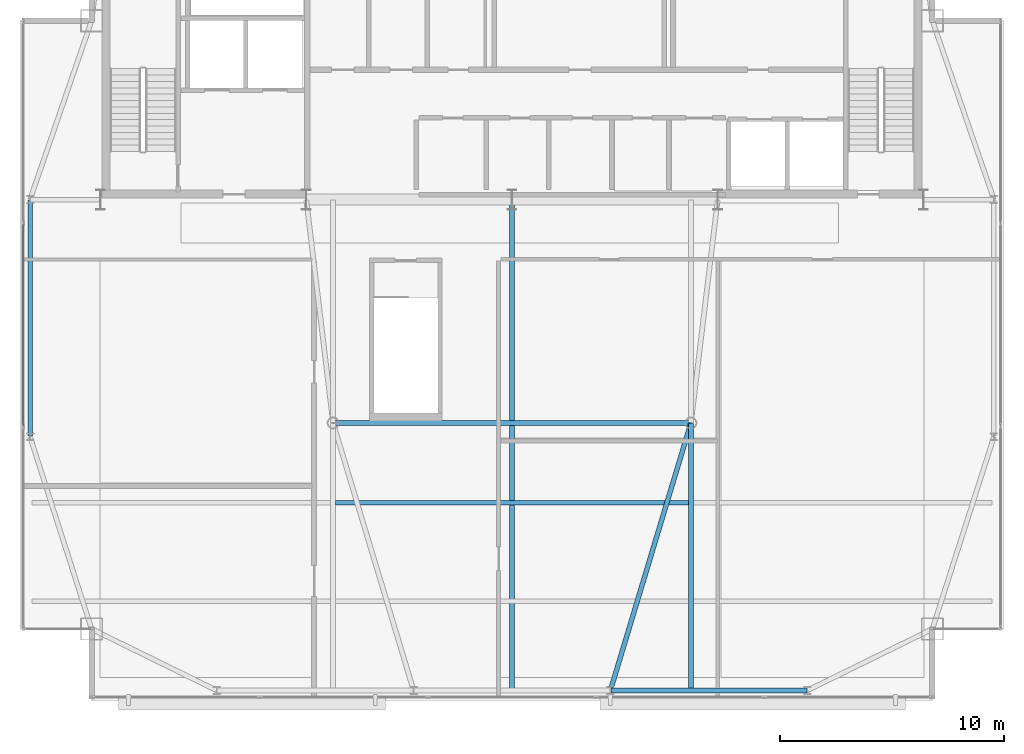
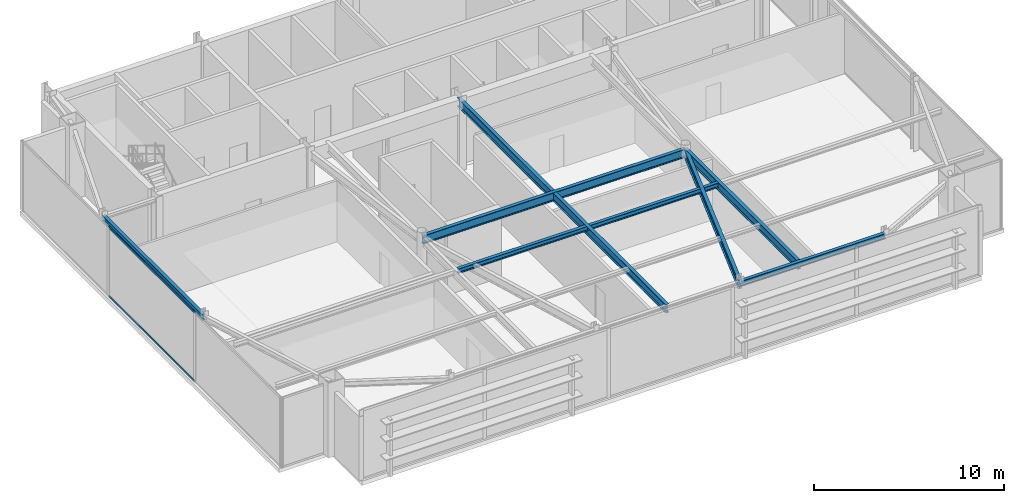
# One storey, part 9 of 20: 7 beams, 2 members, 1 element without a shape of its own.
"""IFC4 building model written with IfcOpenShell, lengths in metres."""

from ifc_helpers import new_model, si_unit, direction, frame, origin, origin_2d, place, context, subcontext, project, spatial, hollow_rectangle, i_section, extrude, source, transform, mapped, material, layer, layer_set, material_profile, profile_set, type_object, type_shapes, element, aggregate, save


model = new_model("IFC4")

# Units and contexts
model_context = context("Model", 3, precision=1e-05, world=origin(), true_north=direction((0.0, 1.0)))
body_context = subcontext(model_context, "Body", "Model", "MODEL_VIEW")
ifc_project = project(units=[si_unit("LENGTHUNIT", "METRE"), si_unit("AREAUNIT", "SQUARE_METRE"), si_unit("VOLUMEUNIT", "CUBIC_METRE"), si_unit("PLANEANGLEUNIT", "RADIAN"), si_unit("MASSUNIT", "GRAM", prefix="KILO")], contexts=[model_context])

# Site, building, storey
site_placement = place(None, origin())
site = spatial("IfcSite", under=ifc_project, at=site_placement, CompositionType="ELEMENT")
building_placement = place(site_placement, origin())
building = spatial("IfcBuilding", under=site, at=building_placement, Name="Varnel Quay Broadcast Tower", CompositionType="ELEMENT")
storey_placement = place(building_placement, frame((0.0, 0.0, 309.800048828125)))
storey = spatial("IfcBuildingStorey", under=building, at=storey_placement, Name="L77", CompositionType="ELEMENT", Elevation=309.800048828125)

# Beams
ifc_material_1 = material(Name="Structural Steel CSA G40.21 350W", Category="steel")
ifc_material_profile_1 = material_profile(ifc_material_1, i_section(OverallWidth=0.205078125, OverallDepth=0.35400390625, WebThickness=0.009521484375, FlangeThickness=0.016845703125, FilletRadius=0.012939453125, at=origin_2d()), Name="W360X79")
ifc_profile_set_1 = profile_set([ifc_material_profile_1], Name="Structural Steel CSA G40.21 350W")
beam_type_1 = type_object("IfcBeamType", Name="Beam_W360X79", PredefinedType="SPANDREL", material=ifc_profile_set_1)
shared_shape_1 = source(origin(), body_context, "Body", "SweptSolid", [
    extrude(i_section(OverallWidth=0.205078125, OverallDepth=0.35400390625, WebThickness=0.009521484375, FlangeThickness=0.016845703125, FilletRadius=0.012939453125, at=origin_2d()), origin(), (0.0, 0.0, 1.0), 8.760009765625),
])
beam_1_placement = place(storey_placement, frame((38.419921875, 13.64990234375, 4.302978515625), z_axis=(1.0, 0.0, 0.0), x_axis=(0.0, 1.0, 0.0)))
element("IfcBeam", 1, at=beam_1_placement, inside=storey, type_object=beam_type_1, Name="L77 South Spandrel TC-S3-TC-S4", PredefinedType="SPANDREL", context=body_context, shape_type="MappedRepresentation", body=[
    mapped(shared_shape_1, transform((0.0, 0.0, 0.0), x_axis=(1.0, 0.0, 0.0), y_axis=(0.0, 1.0, 0.0), z_axis=(0.0, 0.0, 1.0), scale=1.0)),
])
shared_shape_2 = source(origin(), body_context, "Body", "SweptSolid", [
    extrude(i_section(OverallWidth=0.205078125, OverallDepth=0.35400390625, WebThickness=0.009521484375, FlangeThickness=0.016845703125, FilletRadius=0.012939453125, at=origin_2d()), origin(), (0.0, 0.0, 1.0), 10.56005859375),
])
type_shapes(beam_type_1, [shared_shape_1, shared_shape_2])
beam_2_placement = place(storey_placement, frame((12.449951171875, 25.02001953125, 4.302978515625), z_axis=(0.0, 1.0, 0.0), x_axis=(-1.0, 0.0, 0.0)))
element("IfcBeam", 2, at=beam_2_placement, inside=storey, type_object=beam_type_1, Name="L77 West Spandrel TC-W1-TC-W2", PredefinedType="SPANDREL", context=body_context, shape_type="MappedRepresentation", body=[
    mapped(shared_shape_2, transform((0.0, 0.0, 0.0), x_axis=(1.0, 0.0, 0.0), y_axis=(0.0, 1.0, 0.0), z_axis=(0.0, 0.0, 1.0), scale=1.0)),
])
ifc_material_profile_2 = material_profile(ifc_material_1, i_section(OverallWidth=0.2119140625, OverallDepth=0.5439453125, WebThickness=0.01318359375, FlangeThickness=0.021240234375, FilletRadius=0.013916015625, at=origin_2d()), Name="W530X123")
ifc_profile_set_2 = profile_set([ifc_material_profile_2], Name="Structural Steel CSA G40.21 350W")
beam_type_2 = type_object("IfcBeamType", Name="Girder_W530X123", PredefinedType="BEAM", material=ifc_profile_set_2)
shared_shape_3 = source(origin(), body_context, "Body", "SweptSolid", [
    extrude(i_section(OverallWidth=0.2119140625, OverallDepth=0.5439453125, WebThickness=0.01318359375, FlangeThickness=0.021240234375, FilletRadius=0.013916015625, at=origin_2d()), origin(), (0.0, 0.0, 1.0), 12.449951171875),
])
beam_3_placement = place(storey_placement, frame((38.40576171875, 13.669189453125, 4.2080078125), z_axis=(0.28822390679, 0.957563042078, 0.0), x_axis=(-0.957563042078, 0.28822390679, 0.0)))
element("IfcBeam", 3, at=beam_3_placement, inside=storey, type_object=beam_type_2, Name="L77 Primary Girder TC-S3-IC-02", PredefinedType="BEAM", context=body_context, shape_type="MappedRepresentation", body=[
    mapped(shared_shape_3, transform((0.0, 0.0, 0.0), x_axis=(1.0, 0.0, 0.0), y_axis=(0.0, 1.0, 0.0), z_axis=(0.0, 0.0, 1.0), scale=1.0)),
])
shared_shape_4 = source(origin(), body_context, "Body", "SweptSolid", [
    extrude(i_section(OverallWidth=0.2119140625, OverallDepth=0.5439453125, WebThickness=0.01318359375, FlangeThickness=0.021240234375, FilletRadius=0.013916015625, at=origin_2d()), origin(), (0.0, 0.0, 1.0), 15.9599609375),
])
beam_4_placement = place(storey_placement, frame((26.02001953125, 25.610107421875, 4.2080078125), z_axis=(1.0, 0.0, 0.0), x_axis=(0.0, 1.0, 0.0)))
element("IfcBeam", 4, at=beam_4_placement, inside=storey, type_object=beam_type_2, Name="L77 Interior Spine Girder", PredefinedType="BEAM", context=body_context, shape_type="MappedRepresentation", body=[
    mapped(shared_shape_4, transform((0.0, 0.0, 0.0), x_axis=(1.0, 0.0, 0.0), y_axis=(0.0, 1.0, 0.0), z_axis=(0.0, 0.0, 1.0), scale=1.0)),
])
shared_shape_5 = source(origin(), body_context, "Body", "SweptSolid", [
    extrude(i_section(OverallWidth=0.2119140625, OverallDepth=0.5439453125, WebThickness=0.01318359375, FlangeThickness=0.021240234375, FilletRadius=0.013916015625, at=origin_2d()), origin(), (0.0, 0.0, 1.0), 21.91015625),
])
beam_5_placement = place(storey_placement, frame((34.0, 13.669921875, 4.2080078125), z_axis=(0.0, 1.0, 0.0), x_axis=(-1.0, 0.0, 0.0)))
element("IfcBeam", 5, at=beam_5_placement, inside=storey, type_object=beam_type_2, Name="L77 Central Bay Girder", PredefinedType="BEAM", context=body_context, shape_type="MappedRepresentation", body=[
    mapped(shared_shape_5, transform((0.0, 0.0, 0.0), x_axis=(1.0, 0.0, 0.0), y_axis=(0.0, 1.0, 0.0), z_axis=(0.0, 0.0, 1.0), scale=1.0)),
])
shared_shape_6 = source(origin(), body_context, "Body", "SweptSolid", [
    extrude(i_section(OverallWidth=0.2119140625, OverallDepth=0.5439453125, WebThickness=0.01318359375, FlangeThickness=0.021240234375, FilletRadius=0.013916015625, at=origin_2d()), origin(), (0.0, 0.0, 1.0), 11.920166015625),
])
type_shapes(beam_type_2, [shared_shape_3, shared_shape_4, shared_shape_5, shared_shape_6])
beam_6_placement = place(storey_placement, frame((42.0, 13.669921875, 4.2080078125), z_axis=(0.0, 1.0, 0.0), x_axis=(-1.0, 0.0, 0.0)))
element("IfcBeam", 6, at=beam_6_placement, inside=storey, type_object=beam_type_2, Name="L77 N-S Joist Header IC-02S", PredefinedType="BEAM", context=body_context, shape_type="MappedRepresentation", body=[
    mapped(shared_shape_6, transform((0.0, 0.0, 0.0), x_axis=(1.0, 0.0, 0.0), y_axis=(0.0, 1.0, 0.0), z_axis=(0.0, 0.0, 1.0), scale=1.0)),
])
ifc_material_profile_3 = material_profile(ifc_material_1, i_section(OverallWidth=0.202880859375, OverallDepth=0.302978515625, WebThickness=0.007568359375, FlangeThickness=0.01318359375, FilletRadius=0.011962890625, at=origin_2d()), Name="W310X60")
ifc_profile_set_3 = profile_set([ifc_material_profile_3], Name="Structural Steel CSA G40.21 350W")
beam_type_3 = type_object("IfcBeamType", Name="Beam_W310X60", PredefinedType="JOIST", material=ifc_profile_set_3)
shared_shape_7 = source(origin(), body_context, "Body", "SweptSolid", [
    extrude(i_section(OverallWidth=0.202880859375, OverallDepth=0.302978515625, WebThickness=0.007568359375, FlangeThickness=0.01318359375, FilletRadius=0.011962890625, at=origin_2d()), origin(), (0.0, 0.0, 1.0), 15.7978515625),
])
type_shapes(beam_type_3, [shared_shape_7])
beam_7_placement = place(storey_placement, frame((26.10107421875, 22.050048828125, 4.328369140625), z_axis=(1.0, 0.0, 0.0), x_axis=(0.0, 1.0, 0.0)))
element("IfcBeam", 7, at=beam_7_placement, inside=storey, type_object=beam_type_3, Name="L77 Central Floor Joist 2", PredefinedType="JOIST", context=body_context, shape_type="MappedRepresentation", body=[
    mapped(shared_shape_7, transform((0.0, 0.0, 0.0), x_axis=(1.0, 0.0, 0.0), y_axis=(0.0, 1.0, 0.0), z_axis=(0.0, 0.0, 1.0), scale=1.0)),
])

# Curtain wall, members
ifc_material_2 = material(Name="Anodised Bronze Aluminium 6063-T6", Category="aluminium")
ifc_layer = layer(ifc_material_2, 0.18994140625, Name="Anodised Bronze Aluminium 6063-T6")
ifc_layer_set = layer_set([ifc_layer], Name="Anodised Bronze Aluminium 6063-T6")
curtain_wall_type = type_object("IfcCurtainWallType", Name="CW_SkyObsHighVis", PredefinedType="NOTDEFINED", material=ifc_layer_set)
curtain_wall_placement = place(storey_placement, origin())
curtain_wall = element("IfcCurtainWall", 8, at=curtain_wall_placement, inside=storey, type_object=curtain_wall_type, Name="L77 West Unitised Curtain Wall", PredefinedType="NOTDEFINED")
ifc_material_profile_4 = material_profile(ifc_material_2, hollow_rectangle(XDim=0.06005859375, YDim=0.14501953125, WallThickness=0.00341796875, at=origin_2d()), Name="ALU60X145X3.5")
ifc_profile_set_4 = profile_set([ifc_material_profile_4], Name="Anodised Bronze Aluminium 6063-T6")
member_type = type_object("IfcMemberType", Name="Tran_CWS-05", PredefinedType="USERDEFINED", material=ifc_profile_set_4)
shared_shape_8 = source(origin(), body_context, "Body", "SweptSolid", [
    extrude(hollow_rectangle(XDim=0.06005859375, YDim=0.14501953125, WallThickness=0.00341796875, at=origin_2d()), origin(), (0.0, 0.0, 1.0), 8.99169921875),
])
type_shapes(member_type, [shared_shape_8])
member_1_placement = place(storey_placement, frame((12.14990234375, 25.504150390625, 0.030029296875), z_axis=(0.0, 1.0, 0.0), x_axis=(-1.0, 0.0, 0.0)))
member_1 = element("IfcMember", 9, at=member_1_placement, type_object=member_type, Name="CWS-05 transom 2.1", ObjectType="TRANSOM", PredefinedType="USERDEFINED", context=body_context, shape_type="MappedRepresentation", body=[
    mapped(shared_shape_8, transform((0.0, 0.0, 0.0), x_axis=(1.0, 0.0, 0.0), y_axis=(0.0, 1.0, 0.0), z_axis=(0.0, 0.0, 1.0), scale=1.0)),
])
member_2_placement = place(storey_placement, frame((12.14990234375, 25.504150390625, 4.449951171875), z_axis=(0.0, 1.0, 0.0), x_axis=(-1.0, 0.0, 0.0)))
member_2 = element("IfcMember", 10, at=member_2_placement, type_object=member_type, Name="CWS-05 transom 2.2", ObjectType="TRANSOM", PredefinedType="USERDEFINED", context=body_context, shape_type="MappedRepresentation", body=[
    mapped(shared_shape_8, transform((0.0, 0.0, 0.0), x_axis=(1.0, 0.0, 0.0), y_axis=(0.0, 1.0, 0.0), z_axis=(0.0, 0.0, 1.0), scale=1.0)),
])
aggregate(curtain_wall, [member_1, member_2])

save(model, "model.ifc")
